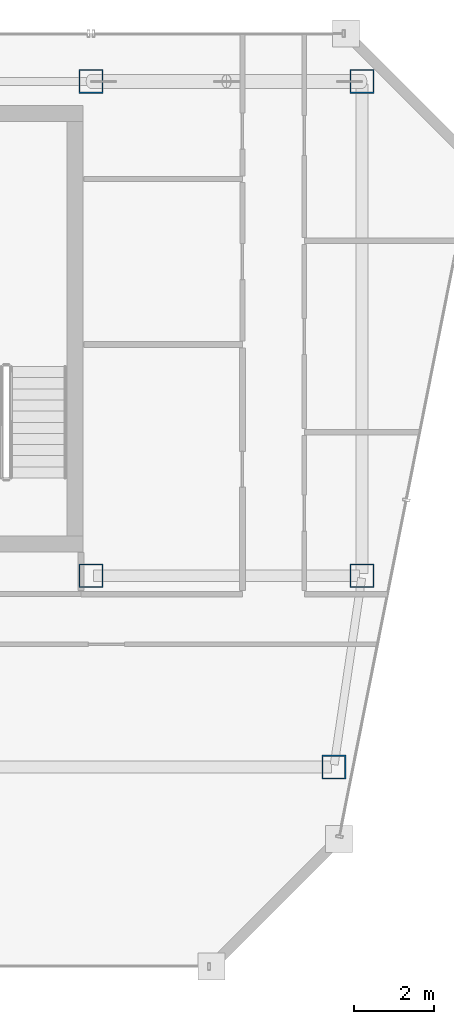
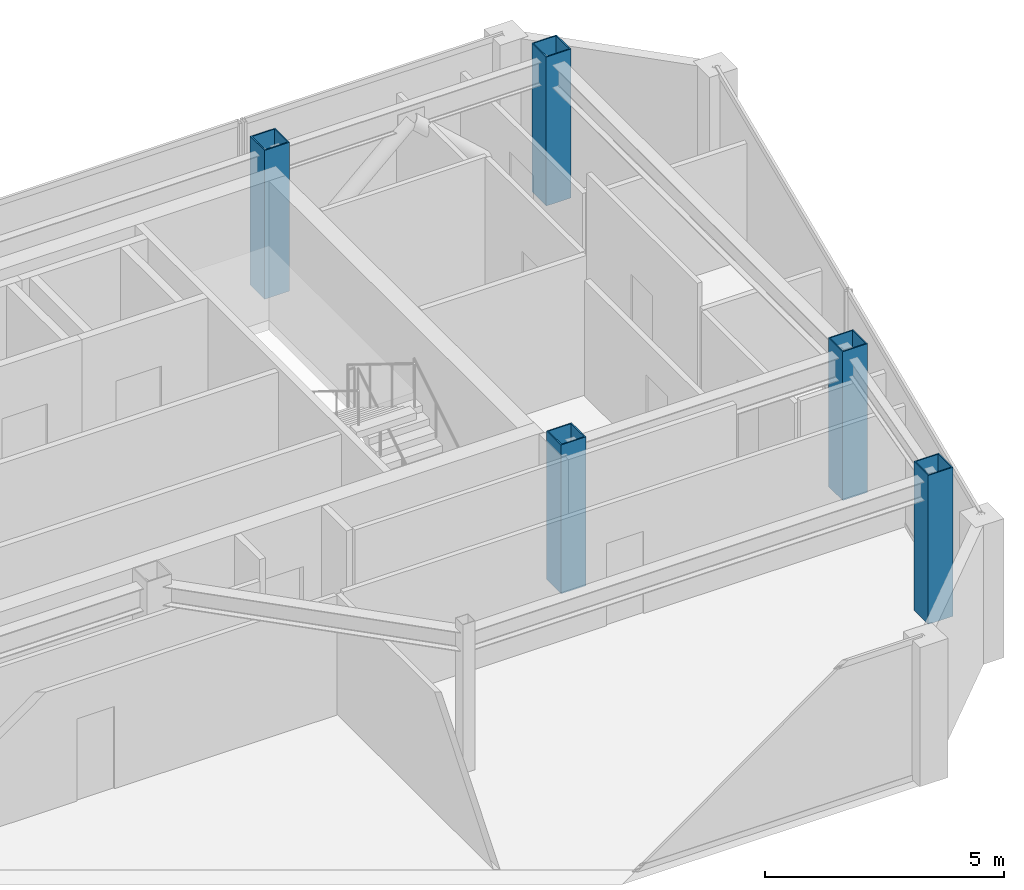
# One storey, part 2 of 23: 5 columns.
"""IFC4 building model written with IfcOpenShell, lengths in metres."""

from ifc_helpers import new_model, si_unit, direction, frame, origin, origin_2d, place, context, subcontext, project, spatial, hollow_rectangle, extrude, material, material_profile, profile_set, type_object, element, save


model = new_model("IFC4")

# Units and contexts
model_context = context("Model", 3, precision=1e-05, world=origin(), true_north=direction((0.0, 1.0)))
body_context = subcontext(model_context, "Body", "Model", "MODEL_VIEW")
ifc_project = project(units=[si_unit("LENGTHUNIT", "METRE"), si_unit("AREAUNIT", "SQUARE_METRE"), si_unit("VOLUMEUNIT", "CUBIC_METRE"), si_unit("PLANEANGLEUNIT", "RADIAN"), si_unit("MASSUNIT", "GRAM", prefix="KILO")], contexts=[model_context])

# Site, building, storey
site_placement = place(None, origin())
site = spatial("IfcSite", under=ifc_project, at=site_placement, CompositionType="ELEMENT")
building_placement = place(site_placement, origin())
building = spatial("IfcBuilding", under=site, at=building_placement, Name="Saevonmaru Cultural Tower", CompositionType="ELEMENT")
storey_placement = place(building_placement, frame((0.0, 0.0, 302.800048828125)))
storey = spatial("IfcBuildingStorey", under=building, at=storey_placement, Name="L72", CompositionType="ELEMENT", Elevation=302.800048828125)

# Columns
ifc_material = material(Name="Steel SM355", Category="steel")
ifc_material_profile = material_profile(ifc_material, hollow_rectangle(XDim=0.60009765625, YDim=0.60009765625, WallThickness=0.028076171875, at=origin_2d()), Name="BOX-600x600x28")
ifc_profile_set = profile_set([ifc_material_profile], Name="Steel SM355")
column_type = type_object("IfcColumnType", Name="COL-BOX-600", PredefinedType="COLUMN", material=ifc_profile_set)
for number, where, z_axis, x_axis, name in (
    (1, (46.39990234375, 54.800048828125, 0.0), (0.0, 0.0, 1.0), (1.0, 0.0, 0.0), "L72 Column TC-N5N"),
    (2, (53.199951171875, 54.800048828125, 0.0), (0.0, 0.0, 1.0), (1.0, 0.0, 0.0), "L72 Column TC-N6N"),
    (3, (46.39990234375, 42.39990234375, 0.0), (0.0, 0.0, 1.0), (1.0, 0.0, 0.0), "L72 Column TC-S5C"),
    (4, (53.199951171875, 42.39990234375, 0.0), (0.0, 0.0, 1.0), (1.0, 0.0, 0.0), "L72 Column TC-S6C"),
    (5, (52.491943359375, 37.60009765625, 0.0), (0.0, 0.0, 1.0), (1.0, 0.0, 0.0), "L72 Column TC-EO-Y376"),
):
    element("IfcColumn", number, at=place(storey_placement, frame(where, z_axis=z_axis, x_axis=x_axis)), inside=storey, type_object=column_type, Name=name, PredefinedType="COLUMN", context=body_context, shape_type="SweptSolid", body=[
        extrude(hollow_rectangle(XDim=0.60009765625, YDim=0.60009765625, WallThickness=0.028076171875, at=origin_2d()), origin(), (0.0, 0.0, 1.0), 3.800048828125),
    ])

save(model, "model.ifc")
